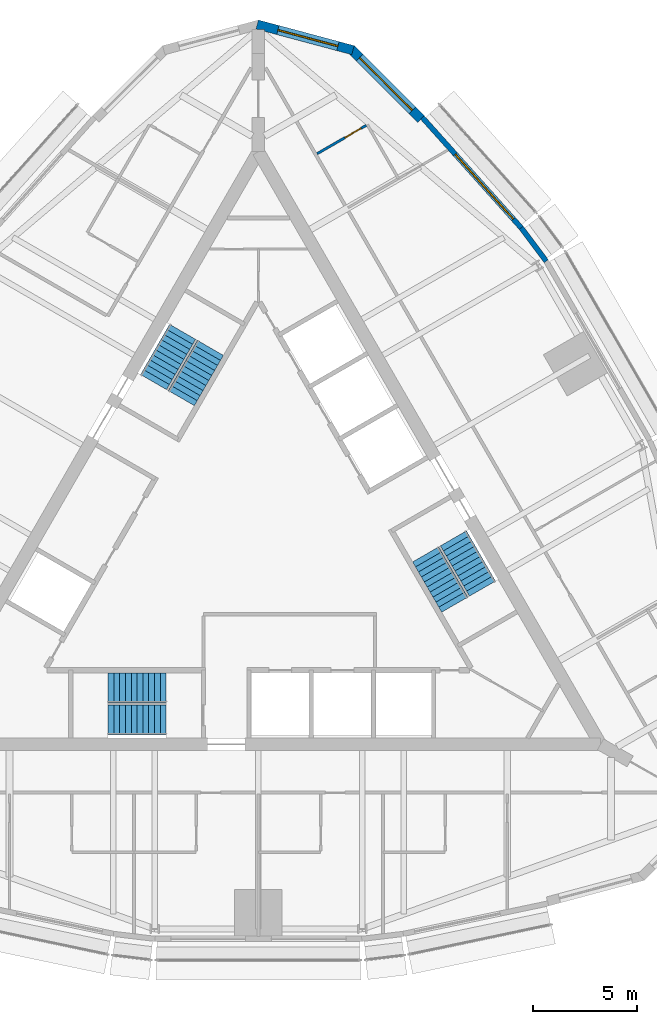
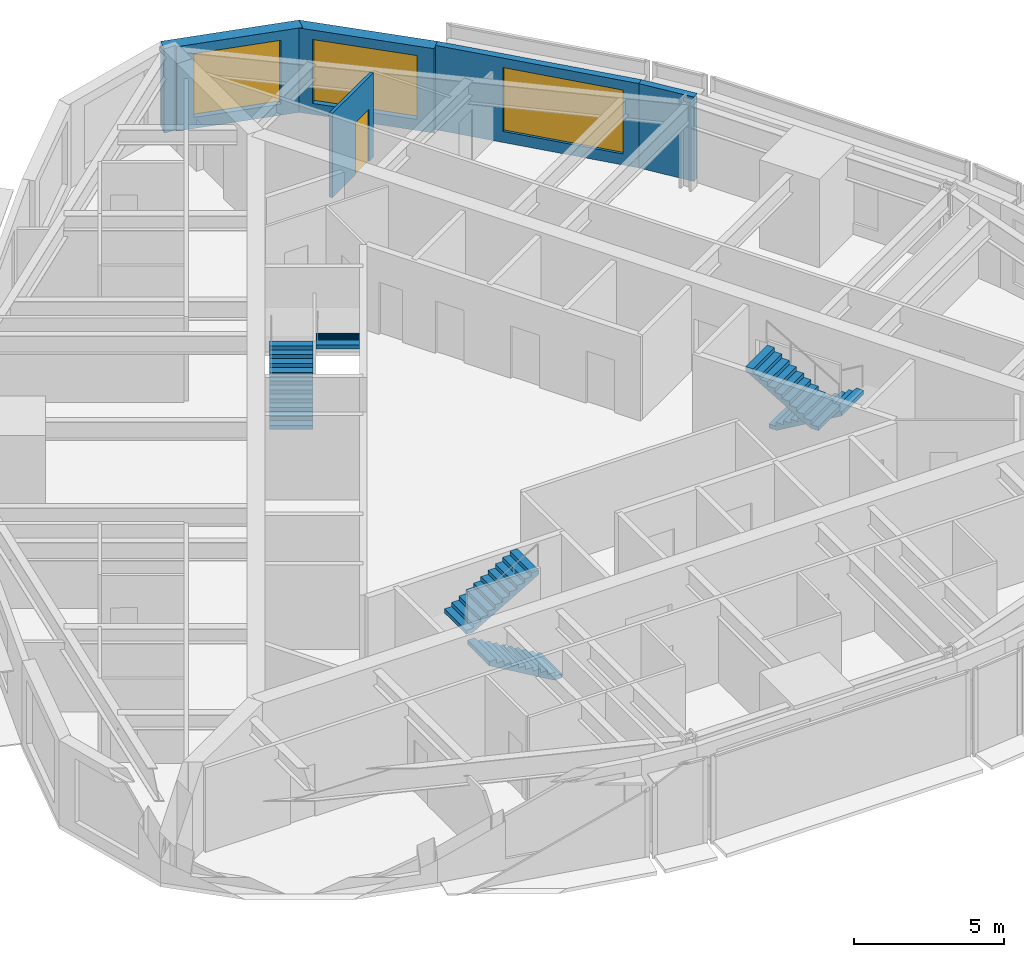
# One storey, part 11 of 12: 6 stair flights, 5 walls, 3 windows, 1 door, 4 openings, 3 elements without a shape of their own.
"""IFC4 building model written with IfcOpenShell, lengths in metres."""

from ifc_helpers import new_model, si_unit, direction, frame, frame_2d, origin, place, context, subcontext, project, spatial, polyline, rectangle, outline, extrude, material, layer, layer_set, type_object, element, fill, aggregate, save


model = new_model("IFC4")

# Units and contexts
model_context = context("Model", 3, precision=1e-05, world=origin(), true_north=direction((0.0, 1.0)))
body_context = subcontext(model_context, "Body", "Model", "MODEL_VIEW")
ifc_project = project(units=[si_unit("LENGTHUNIT", "METRE"), si_unit("AREAUNIT", "SQUARE_METRE"), si_unit("VOLUMEUNIT", "CUBIC_METRE"), si_unit("PLANEANGLEUNIT", "RADIAN"), si_unit("MASSUNIT", "GRAM", prefix="KILO")], contexts=[model_context])

# Site, building, storey
site_placement = place(None, origin())
site = spatial("IfcSite", under=ifc_project, at=site_placement, CompositionType="ELEMENT")
building_placement = place(site_placement, origin())
building = spatial("IfcBuilding", under=site, at=building_placement, Name="Trikona Tower", CompositionType="ELEMENT")
storey_placement = place(building_placement, frame((0.0, 0.0, 264.5)))
storey = spatial("IfcBuildingStorey", under=building, at=storey_placement, Name="L70", CompositionType="ELEMENT", Elevation=264.5)

# Wall, opening, door
ifc_material_1 = material(Name="Metal stud and cement board", Category="gypsum")
ifc_layer_1 = layer(ifc_material_1, 0.1201171875)
ifc_layer_set_1 = layer_set([ifc_layer_1], Name="Bathroom wall 120")
wall_type_1 = type_object("IfcWallType", Name="Bathroom wall 120", PredefinedType="PLUMBINGWALL", material=ifc_layer_set_1)
wall_1_placement = place(storey_placement, frame((2.82861328125, 18.95361328125, 0.0), z_axis=(0.0, 0.0, 1.0), x_axis=(0.866035715982, 0.499982138324, 0.0)))
wall_1 = element("IfcWall", 1, at=wall_1_placement, inside=storey, type_object=wall_type_1, Name="Bathroom wall 7005.2", PredefinedType="PLUMBINGWALL", context=body_context, shape_type="SweptSolid", body=[
    extrude(rectangle(XDim=2.73974609375, YDim=0.1201171875, at=frame_2d((1.369873046875, 0.0))), origin(), (0.0, 0.0, 1.0), 3.43505859375),
])
opening_1_placement = place(wall_1_placement, frame((1.550048828125, 0.0, 0.0)))
opening_1 = element("IfcOpeningElement", 2, at=opening_1_placement, cuts=wall_1, Name="Opening D2", PredefinedType="OPENING", context=body_context, shape_type="SweptSolid", body=[
    extrude(rectangle(XDim=0.89990234375, YDim=2.1298828125, at=frame_2d((0.449951171875, 1.06494140625))), frame((0.0, 0.070068359375, 0.0), z_axis=(0.0, -1.0, 0.0), x_axis=(1.0, 0.0, 0.0)), (0.0, 0.0, 1.0), 0.14013671875),
])
ifc_material_2 = material(Name="Steel door frame with solid-core timber leaf", Category="steel")
door_type = type_object("IfcDoorType", Name="Bathroom door 900x2130", OperationType="SLIDING_TO_LEFT", PredefinedType="DOOR", material=ifc_material_2)
door_placement = place(opening_1_placement, origin())
door = element("IfcDoor", 3, at=door_placement, inside=storey, type_object=door_type, Name="Bathroom door 7005.2", OperationType="SLIDING_TO_LEFT", OverallHeight=2.1298828125, OverallWidth=0.89990234375, PredefinedType="DOOR", context=body_context, shape_type="SweptSolid", body=[
    extrude(rectangle(XDim=0.89990234375, YDim=2.1298828125, at=frame_2d((0.449951171875, 1.06494140625))), frame((0.0, 0.02490234375, 0.0), z_axis=(0.0, -1.0, 0.0), x_axis=(1.0, 0.0, 0.0)), (0.0, 0.0, 1.0), 0.050048828125),
])
fill(opening_1, door)

# Wall, opening, window
ifc_material_3 = material(Name="Brick-faced precast concrete", Category="masonry")
ifc_layer_2 = layer(ifc_material_3, 0.449951171875)
ifc_layer_set_2 = layer_set([ifc_layer_2], Name="Brick-faced corner wall 450")
wall_type_2 = type_object("IfcWallType", Name="Brick-faced corner wall 450", PredefinedType="SOLIDWALL", material=ifc_layer_set_2)
wall_2_placement = place(storey_placement, frame((7.8408203125, 20.62548828125, 0.0), z_axis=(0.0, 0.0, 1.0), x_axis=(-0.707106781187, 0.707106781187, 0.0)))
wall_2 = element("IfcWall", 4, at=wall_2_placement, inside=storey, type_object=wall_type_2, Name="External wall L70-14", PredefinedType="SOLIDWALL", context=body_context, shape_type="SweptSolid", body=[
    extrude(rectangle(XDim=4.781494140625, YDim=0.449951171875, at=frame_2d((2.390625, 0.0))), origin(), (0.0, 0.0, 1.0), 3.43505859375),
])
opening_2_placement = place(wall_2_placement, frame((0.5908203125, 0.0, 0.449951171875)))
opening_2 = element("IfcOpeningElement", 5, at=opening_2_placement, cuts=wall_2, Name="Opening W3626", PredefinedType="OPENING", context=body_context, shape_type="SweptSolid", body=[
    extrude(rectangle(XDim=3.60009765625, YDim=2.60009765625, at=frame_2d((1.800048828125, 1.300048828125))), frame((0.0, 0.23486328125, 0.0), z_axis=(0.0, -1.0, 0.0), x_axis=(1.0, 0.0, 0.0)), (0.0, 0.0, 1.0), 0.469970703125),
])
ifc_material_4 = material(Name="Aluminium-framed double glazing", Category="aluminium")
window_type_1 = type_object("IfcWindowType", Name="Window 3600x2600", PartitioningType="SINGLE_PANEL", PredefinedType="WINDOW", material=ifc_material_4)
window_1_placement = place(opening_2_placement, origin())
window_1 = element("IfcWindow", 6, at=window_1_placement, inside=storey, type_object=window_type_1, Name="Window 7005.2", OverallHeight=2.60009765625, OverallWidth=3.60009765625, PartitioningType="SINGLE_PANEL", PredefinedType="WINDOW", context=body_context, shape_type="SweptSolid", body=[
    extrude(rectangle(XDim=3.60009765625, YDim=2.60009765625, at=frame_2d((1.800048828125, 1.300048828125))), frame((0.0, 0.030029296875, 0.0), z_axis=(0.0, -1.0, 0.0), x_axis=(1.0, 0.0, 0.0)), (0.0, 0.0, 1.0), 0.06005859375),
])
fill(opening_2, window_1)

wall_3_placement = place(storey_placement, frame((4.560546875, 23.948486328125, 0.0), z_axis=(0.0, 0.0, 1.0), x_axis=(-0.965926628191, 0.258816052347, 0.0)))
wall_3 = element("IfcWall", 7, at=wall_3_placement, inside=storey, type_object=wall_type_2, Name="External wall L70-15", PredefinedType="SOLIDWALL", context=body_context, shape_type="SweptSolid", body=[
    extrude(outline(polyline([(4.781494140625, 0.22509765625), (4.722412109375, 0.22509765625), (4.37548828125, 0.132080078125), (4.3505859375, 0.22509765625), (0.0, 0.22509765625), (0.0, -0.22509765625), (4.781494140625, -0.22509765625), (4.781494140625, 0.22509765625)])), origin(), (0.0, 0.0, 1.0), 3.43505859375),
])
opening_3_placement = place(wall_3_placement, frame((0.750244140625, 0.0, 0.449951171875)))
opening_3 = element("IfcOpeningElement", 8, at=opening_3_placement, cuts=wall_3, Name="Opening W3026", PredefinedType="OPENING", context=body_context, shape_type="SweptSolid", body=[
    extrude(rectangle(XDim=3.0, YDim=2.60009765625, at=frame_2d((1.5, 1.300048828125))), frame((0.0, 0.23486328125, 0.0), z_axis=(0.0, -1.0, 0.0), x_axis=(1.0, 0.0, 0.0)), (0.0, 0.0, 1.0), 0.469970703125),
])
ifc_material_5 = material(Name="Aluminium-framed double glazing", Category="aluminium")
window_type_2 = type_object("IfcWindowType", Name="Window 3000x2600", PartitioningType="SINGLE_PANEL", PredefinedType="WINDOW", material=ifc_material_5)
window_2_placement = place(opening_3_placement, origin())
window_2 = element("IfcWindow", 9, at=window_2_placement, inside=storey, type_object=window_type_2, Name="Window 7005.2", OverallHeight=2.60009765625, OverallWidth=3.0, PartitioningType="SINGLE_PANEL", PredefinedType="WINDOW", context=body_context, shape_type="SweptSolid", body=[
    extrude(rectangle(XDim=3.0, YDim=2.60009765625, at=frame_2d((1.5, 1.300048828125))), frame((0.0, 0.030029296875, 0.0), z_axis=(0.0, -1.0, 0.0), x_axis=(1.0, 0.0, 0.0)), (0.0, 0.0, 1.0), 0.06005859375),
])
fill(opening_3, window_2)

# Wall
ifc_material_6 = material(Name="Insulated precast concrete spandrel panel", Category="concrete")
ifc_layer_3 = layer(ifc_material_6, 0.25)
ifc_layer_set_3 = layer_set([ifc_layer_3], Name="Inner skin wall 250")
wall_type_3 = type_object("IfcWallType", Name="Inner skin wall 250", PredefinedType="STANDARD", material=ifc_layer_set_3)
wall_4_placement = place(storey_placement, frame((13.880859375, 13.7705078125, 0.0), z_axis=(0.0, 0.0, 1.0), x_axis=(-0.599650843534, 0.800261748335, 0.0)))
element("IfcWall", 10, at=wall_4_placement, inside=storey, type_object=wall_type_3, Name="External wall L70-12", PredefinedType="STANDARD", context=body_context, shape_type="SweptSolid", body=[
    extrude(rectangle(XDim=2.01416015625, YDim=0.25, at=frame_2d((1.007080078125, 0.0))), origin(), (0.0, 0.0, 1.0), 3.43505859375),
])

# Wall, opening, window
wall_5_placement = place(storey_placement, frame((12.679931640625, 15.3740234375, 0.0), z_axis=(0.0, 0.0, 1.0), x_axis=(-0.667303550892, 0.744785855778, 0.0)))
wall_5 = element("IfcWall", 11, at=wall_5_placement, inside=storey, type_object=wall_type_3, Name="External wall L70-13", PredefinedType="STANDARD", context=body_context, shape_type="SweptSolid", body=[
    extrude(rectangle(XDim=7.152587890625, YDim=0.25, at=frame_2d((3.576171875, 0.0))), origin(), (0.0, 0.0, 1.0), 3.43505859375),
])
opening_4_placement = place(wall_5_placement, frame((0.576904296875, 0.0, 0.449951171875)))
opening_4 = element("IfcOpeningElement", 12, at=opening_4_placement, cuts=wall_5, Name="Opening W4226", PredefinedType="OPENING", context=body_context, shape_type="SweptSolid", body=[
    extrude(rectangle(XDim=4.199951171875, YDim=2.60009765625, at=frame_2d((2.10009765625, 1.300048828125))), frame((0.0, 0.135009765625, 0.0), z_axis=(0.0, -1.0, 0.0), x_axis=(1.0, 0.0, 0.0)), (0.0, 0.0, 1.0), 0.27001953125),
])
ifc_material_7 = material(Name="Aluminium-framed double glazing", Category="aluminium")
window_type_3 = type_object("IfcWindowType", Name="Window 4200x2600", PartitioningType="SINGLE_PANEL", PredefinedType="WINDOW", material=ifc_material_7)
window_3_placement = place(opening_4_placement, origin())
window_3 = element("IfcWindow", 13, at=window_3_placement, inside=storey, type_object=window_type_3, Name="Window 7005.3", OverallHeight=2.60009765625, OverallWidth=4.199951171875, PartitioningType="SINGLE_PANEL", PredefinedType="WINDOW", context=body_context, shape_type="SweptSolid", body=[
    extrude(rectangle(XDim=4.199951171875, YDim=2.60009765625, at=frame_2d((2.10009765625, 1.300048828125))), frame((0.0, 0.030029296875, 0.0), z_axis=(0.0, -1.0, 0.0), x_axis=(1.0, 0.0, 0.0)), (0.0, 0.0, 1.0), 0.06005859375),
])
fill(opening_4, window_3)

# Stair, stair flights
ifc_material_8 = material(Name="Concrete f'c 5000 psi", Category="concrete")
stair_type = type_object("IfcStairType", Name="Core stair", PredefinedType="HALF_TURN_STAIR", material=ifc_material_8)
stair_1_placement = place(storey_placement, origin())
stair_1 = element("IfcStair", 14, at=stair_1_placement, inside=storey, type_object=stair_type, Name="Stair A L70", PredefinedType="HALF_TURN_STAIR")
ifc_material_9 = material(Name="Concrete f'c 5000 psi", Category="concrete")
stair_flight_type = type_object("IfcStairFlightType", Name="Core stair flight 1450", PredefinedType="STRAIGHT", material=ifc_material_9)
stair_flight_1_placement = place(storey_placement, frame((-4.449951171875, -8.351318359375, 0.0), z_axis=(0.0, 0.0, 1.0), x_axis=(-1.0, 0.0, 0.0)))
stair_flight_1 = element("IfcStairFlight", 15, at=stair_flight_1_placement, type_object=stair_flight_type, Name="ST-A flight 1", NumberOfRisers=11, NumberOfTreads=10, PredefinedType="STRAIGHT", RiserHeight=0.163636, TreadLength=0.28, context=body_context, shape_type="SweptSolid", body=[
    extrude(outline(polyline([(0.0, 0.0), (0.0, 0.16357421875), (0.280029296875, 0.16357421875), (0.280029296875, 0.327392578125), (0.56005859375, 0.327392578125), (0.56005859375, 0.490966796875), (0.840087890625, 0.490966796875), (0.840087890625, 0.654541015625), (1.1201171875, 0.654541015625), (1.1201171875, 0.818115234375), (1.39990234375, 0.818115234375), (1.39990234375, 0.98193359375), (1.679931640625, 0.98193359375), (1.679931640625, 1.1455078125), (1.9599609375, 1.1455078125), (1.9599609375, 1.30908203125), (2.239990234375, 1.30908203125), (2.239990234375, 1.47265625), (2.52001953125, 1.47265625), (2.52001953125, 1.636474609375), (2.800048828125, 1.636474609375), (2.800048828125, 1.800048828125), (2.800048828125, 1.462646484375), (0.297119140625, 0.0), (0.0, 0.0)])), frame((0.0, 0.72509765625, 0.0), z_axis=(0.0, -1.0, 0.0), x_axis=(1.0, 0.0, 0.0)), (0.0, 0.0, 1.0), 1.449951171875),
])
stair_flight_2_placement = place(storey_placement, frame((-7.25, -6.80126953125, 1.800048828125), z_axis=(0.0, 0.0, 1.0), x_axis=(1.0, 0.0, 0.0)))
stair_flight_2 = element("IfcStairFlight", 16, at=stair_flight_2_placement, type_object=stair_flight_type, Name="ST-A flight 2", NumberOfRisers=11, NumberOfTreads=10, PredefinedType="STRAIGHT", RiserHeight=0.163636, TreadLength=0.28, context=body_context, shape_type="SweptSolid", body=[
    extrude(outline(polyline([(0.0, 0.0), (0.0, 0.16357421875), (0.280029296875, 0.16357421875), (0.280029296875, 0.327392578125), (0.56005859375, 0.327392578125), (0.56005859375, 0.490966796875), (0.840087890625, 0.490966796875), (0.840087890625, 0.654541015625), (1.1201171875, 0.654541015625), (1.1201171875, 0.818115234375), (1.39990234375, 0.818115234375), (1.39990234375, 0.98193359375), (1.679931640625, 0.98193359375), (1.679931640625, 1.1455078125), (1.9599609375, 1.1455078125), (1.9599609375, 1.30908203125), (2.239990234375, 1.30908203125), (2.239990234375, 1.47265625), (2.52001953125, 1.47265625), (2.52001953125, 1.636474609375), (2.800048828125, 1.636474609375), (2.800048828125, 1.800048828125), (2.800048828125, 1.462646484375), (0.297119140625, 0.0), (0.0, 0.0)])), frame((0.0, 0.72509765625, 0.0), z_axis=(0.0, -1.0, 0.0), x_axis=(1.0, 0.0, 0.0)), (0.0, 0.0, 1.0), 1.449951171875),
])
aggregate(stair_1, [stair_flight_1, stair_flight_2])

stair_2_placement = place(storey_placement, origin())
stair_2 = element("IfcStair", 17, at=stair_2_placement, inside=storey, type_object=stair_type, Name="Stair B L70", PredefinedType="HALF_TURN_STAIR")
stair_flight_3_placement = place(storey_placement, frame((9.407470703125, 0.408447265625, 0.0), z_axis=(0.0, 0.0, 1.0), x_axis=(0.5, -0.866025403784, 0.0)))
stair_flight_3 = element("IfcStairFlight", 18, at=stair_flight_3_placement, type_object=stair_flight_type, Name="ST-B flight 1", NumberOfRisers=11, NumberOfTreads=10, PredefinedType="STRAIGHT", RiserHeight=0.163636, TreadLength=0.28, context=body_context, shape_type="SweptSolid", body=[
    extrude(outline(polyline([(0.0, 0.0), (0.0, 0.16357421875), (0.280029296875, 0.16357421875), (0.280029296875, 0.327392578125), (0.56005859375, 0.327392578125), (0.56005859375, 0.490966796875), (0.840087890625, 0.490966796875), (0.840087890625, 0.654541015625), (1.1201171875, 0.654541015625), (1.1201171875, 0.818115234375), (1.39990234375, 0.818115234375), (1.39990234375, 0.98193359375), (1.679931640625, 0.98193359375), (1.679931640625, 1.1455078125), (1.9599609375, 1.1455078125), (1.9599609375, 1.30908203125), (2.239990234375, 1.30908203125), (2.239990234375, 1.47265625), (2.52001953125, 1.47265625), (2.52001953125, 1.636474609375), (2.800048828125, 1.636474609375), (2.800048828125, 1.800048828125), (2.800048828125, 1.462646484375), (0.297119140625, 0.0), (0.0, 0.0)])), frame((0.0, 0.72509765625, 0.0), z_axis=(0.0, -1.0, 0.0), x_axis=(1.0, 0.0, 0.0)), (0.0, 0.0, 1.0), 1.449951171875),
])
stair_flight_4_placement = place(storey_placement, frame((9.465087890625, -2.79150390625, 1.800048828125), z_axis=(0.0, 0.0, 1.0), x_axis=(-0.5, 0.866025403784, 0.0)))
stair_flight_4 = element("IfcStairFlight", 19, at=stair_flight_4_placement, type_object=stair_flight_type, Name="ST-B flight 2", NumberOfRisers=11, NumberOfTreads=10, PredefinedType="STRAIGHT", RiserHeight=0.163636, TreadLength=0.28, context=body_context, shape_type="SweptSolid", body=[
    extrude(outline(polyline([(0.0, 0.0), (0.0, 0.16357421875), (0.280029296875, 0.16357421875), (0.280029296875, 0.327392578125), (0.56005859375, 0.327392578125), (0.56005859375, 0.490966796875), (0.840087890625, 0.490966796875), (0.840087890625, 0.654541015625), (1.1201171875, 0.654541015625), (1.1201171875, 0.818115234375), (1.39990234375, 0.818115234375), (1.39990234375, 0.98193359375), (1.679931640625, 0.98193359375), (1.679931640625, 1.1455078125), (1.9599609375, 1.1455078125), (1.9599609375, 1.30908203125), (2.239990234375, 1.30908203125), (2.239990234375, 1.47265625), (2.52001953125, 1.47265625), (2.52001953125, 1.636474609375), (2.800048828125, 1.636474609375), (2.800048828125, 1.800048828125), (2.800048828125, 1.462646484375), (0.297119140625, 0.0), (0.0, 0.0)])), frame((0.0, 0.72509765625, 0.0), z_axis=(0.0, -1.0, 0.0), x_axis=(1.0, 0.0, 0.0)), (0.0, 0.0, 1.0), 1.449951171875),
])
aggregate(stair_2, [stair_flight_3, stair_flight_4])

stair_3_placement = place(storey_placement, origin())
stair_3 = element("IfcStair", 20, at=stair_3_placement, inside=storey, type_object=stair_type, Name="Stair C L70", PredefinedType="HALF_TURN_STAIR")
stair_flight_5_placement = place(storey_placement, frame((-5.057373046875, 7.94287109375, 0.0), z_axis=(0.0, 0.0, 1.0), x_axis=(0.5, 0.866025403784, 0.0)))
stair_flight_5 = element("IfcStairFlight", 21, at=stair_flight_5_placement, type_object=stair_flight_type, Name="ST-C flight 1", NumberOfRisers=11, NumberOfTreads=10, PredefinedType="STRAIGHT", RiserHeight=0.163636, TreadLength=0.28, context=body_context, shape_type="SweptSolid", body=[
    extrude(outline(polyline([(0.0, 0.0), (0.0, 0.16357421875), (0.280029296875, 0.16357421875), (0.280029296875, 0.327392578125), (0.56005859375, 0.327392578125), (0.56005859375, 0.490966796875), (0.840087890625, 0.490966796875), (0.840087890625, 0.654541015625), (1.1201171875, 0.654541015625), (1.1201171875, 0.818115234375), (1.39990234375, 0.818115234375), (1.39990234375, 0.98193359375), (1.679931640625, 0.98193359375), (1.679931640625, 1.1455078125), (1.9599609375, 1.1455078125), (1.9599609375, 1.30908203125), (2.239990234375, 1.30908203125), (2.239990234375, 1.47265625), (2.52001953125, 1.47265625), (2.52001953125, 1.636474609375), (2.800048828125, 1.636474609375), (2.800048828125, 1.800048828125), (2.800048828125, 1.462646484375), (0.297119140625, 0.0), (0.0, 0.0)])), frame((0.0, 0.72509765625, 0.0), z_axis=(0.0, -1.0, 0.0), x_axis=(1.0, 0.0, 0.0)), (0.0, 0.0, 1.0), 1.449951171875),
])
stair_flight_6_placement = place(storey_placement, frame((-2.315185546875, 9.5927734375, 1.800048828125), z_axis=(0.0, 0.0, 1.0), x_axis=(-0.5, -0.866025403784, 0.0)))
stair_flight_6 = element("IfcStairFlight", 22, at=stair_flight_6_placement, type_object=stair_flight_type, Name="ST-C flight 2", NumberOfRisers=11, NumberOfTreads=10, PredefinedType="STRAIGHT", RiserHeight=0.163636, TreadLength=0.28, context=body_context, shape_type="SweptSolid", body=[
    extrude(outline(polyline([(0.0, 0.0), (0.0, 0.16357421875), (0.280029296875, 0.16357421875), (0.280029296875, 0.327392578125), (0.56005859375, 0.327392578125), (0.56005859375, 0.490966796875), (0.840087890625, 0.490966796875), (0.840087890625, 0.654541015625), (1.1201171875, 0.654541015625), (1.1201171875, 0.818115234375), (1.39990234375, 0.818115234375), (1.39990234375, 0.98193359375), (1.679931640625, 0.98193359375), (1.679931640625, 1.1455078125), (1.9599609375, 1.1455078125), (1.9599609375, 1.30908203125), (2.239990234375, 1.30908203125), (2.239990234375, 1.47265625), (2.52001953125, 1.47265625), (2.52001953125, 1.636474609375), (2.800048828125, 1.636474609375), (2.800048828125, 1.800048828125), (2.800048828125, 1.462646484375), (0.297119140625, 0.0), (0.0, 0.0)])), frame((0.0, 0.72509765625, 0.0), z_axis=(0.0, -1.0, 0.0), x_axis=(1.0, 0.0, 0.0)), (0.0, 0.0, 1.0), 1.449951171875),
])
aggregate(stair_3, [stair_flight_5, stair_flight_6])

save(model, "model.ifc")
